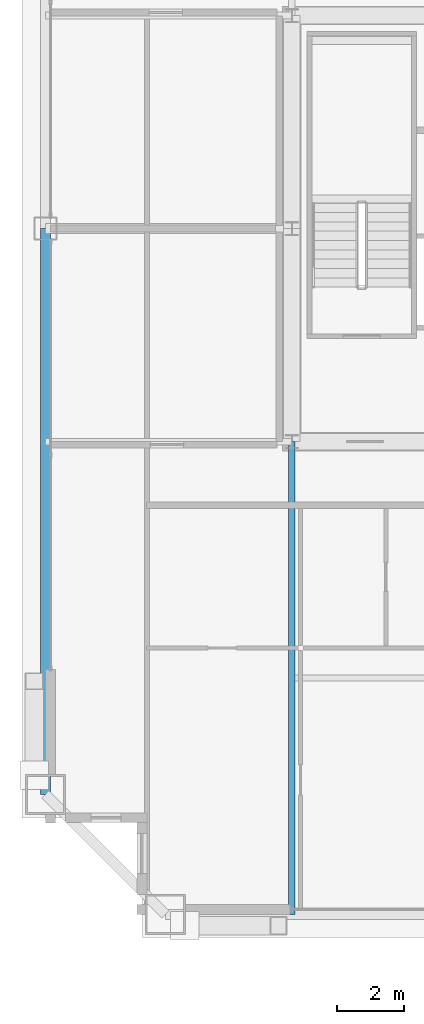
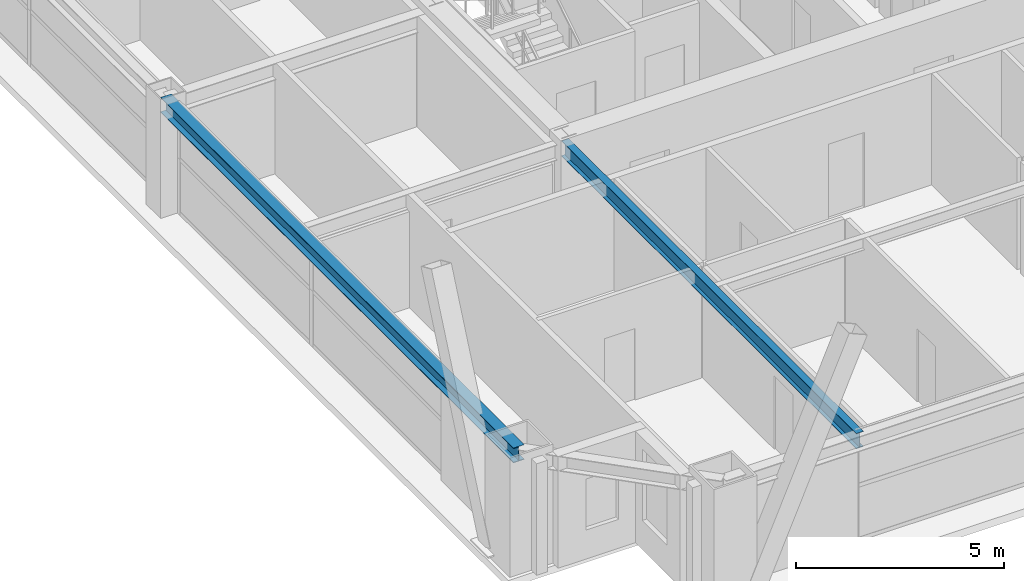
# One storey, part 7 of 35: 2 beams.
"""IFC4 building model written with IfcOpenShell, lengths in metres."""

from ifc_helpers import new_model, si_unit, direction, frame, origin, origin_2d, place, context, subcontext, project, spatial, i_section, extrude, source, transform, mapped, material, material_profile, profile_set, type_object, element, save


model = new_model("IFC4")

# Units and contexts
model_context = context("Model", 3, precision=1e-05, world=origin(), true_north=direction((0.0, 1.0)))
body_context = subcontext(model_context, "Body", "Model", "MODEL_VIEW")
ifc_project = project(units=[si_unit("LENGTHUNIT", "METRE"), si_unit("AREAUNIT", "SQUARE_METRE"), si_unit("VOLUMEUNIT", "CUBIC_METRE"), si_unit("PLANEANGLEUNIT", "RADIAN"), si_unit("MASSUNIT", "GRAM", prefix="KILO"), si_unit("THERMODYNAMICTEMPERATUREUNIT", "KELVIN"), si_unit("POWERUNIT", "WATT")], contexts=[model_context])

# Site, building, storey
site_placement = place(None, origin())
site = spatial("IfcSite", under=ifc_project, at=site_placement, CompositionType="ELEMENT")
building_placement = place(site_placement, origin())
building = spatial("IfcBuilding", under=site, at=building_placement, Name="Yuzanri Waterfront Tower", CompositionType="ELEMENT")
storey_placement = place(building_placement, frame((0.0, 0.0, 227.60009765625)))
storey = spatial("IfcBuildingStorey", under=building, at=storey_placement, Name="L60", CompositionType="ELEMENT", Elevation=227.60009765625)

# Beams
ifc_material_1 = material(Name="Steel Q355B", Category="steel")
ifc_material_profile_1 = material_profile(ifc_material_1, i_section(OverallWidth=0.300048828125, OverallDepth=0.43994140625, WebThickness=0.010986328125, FlangeThickness=0.01806640625, at=origin_2d()), Name="HM 440x300x11x18")
ifc_profile_set_1 = profile_set([ifc_material_profile_1], Name="Steel Q355B")
beam_type_1 = type_object("IfcBeamType", Name="Perimeter Spandrel Q355B HM 440x300", PredefinedType="SPANDREL", material=ifc_profile_set_1)
shared_shape_1 = source(origin(), body_context, "Body", "SweptSolid", [
    extrude(i_section(OverallWidth=0.300048828125, OverallDepth=0.43994140625, WebThickness=0.010986328125, FlangeThickness=0.01806640625, at=origin_2d()), origin(), (0.0, 0.0, 1.0), 17.0),
])
beam_1_placement = place(storey_placement, frame((16.39990234375, 25.800048828125, 3.059814453125), z_axis=(0.0, -1.0, 0.0), x_axis=(1.0, 0.0, 0.0)))
element("IfcBeam", 1, at=beam_1_placement, inside=storey, type_object=beam_type_1, Name="L60 Perimeter Spandrel W2-W1", PredefinedType="SPANDREL", context=body_context, shape_type="MappedRepresentation", body=[
    mapped(shared_shape_1, transform((0.0, 0.0, 0.0), scale=1.0)),
])
ifc_material_2 = material(Name="Steel Q355B", Category="steel")
ifc_material_profile_2 = material_profile(ifc_material_2, i_section(OverallWidth=0.199951171875, OverallDepth=0.449951171875, WebThickness=0.009033203125, FlangeThickness=0.013916015625, at=origin_2d()), Name="HN 450x200x9x14")
ifc_profile_set_2 = profile_set([ifc_material_profile_2], Name="Steel Q355B")
beam_type_2 = type_object("IfcBeamType", Name="Secondary Floor Beam Q355B HN 450x200", PredefinedType="BEAM", material=ifc_profile_set_2)
shared_shape_2 = source(origin(), body_context, "Body", "SweptSolid", [
    extrude(i_section(OverallWidth=0.199951171875, OverallDepth=0.449951171875, WebThickness=0.009033203125, FlangeThickness=0.013916015625, at=origin_2d()), origin(), (0.0, 0.0, 1.0), 14.199951171875),
])
beam_2_placement = place(storey_placement, frame((23.800048828125, 19.39990234375, 3.054931640625), z_axis=(0.0, -1.0, 0.0), x_axis=(1.0, 0.0, 0.0)))
element("IfcBeam", 2, at=beam_2_placement, inside=storey, type_object=beam_type_2, Name="L60 South-West Core Line Beam", PredefinedType="BEAM", context=body_context, shape_type="MappedRepresentation", body=[
    mapped(shared_shape_2, transform((0.0, 0.0, 0.0), scale=1.0)),
])

save(model, "model.ifc")
